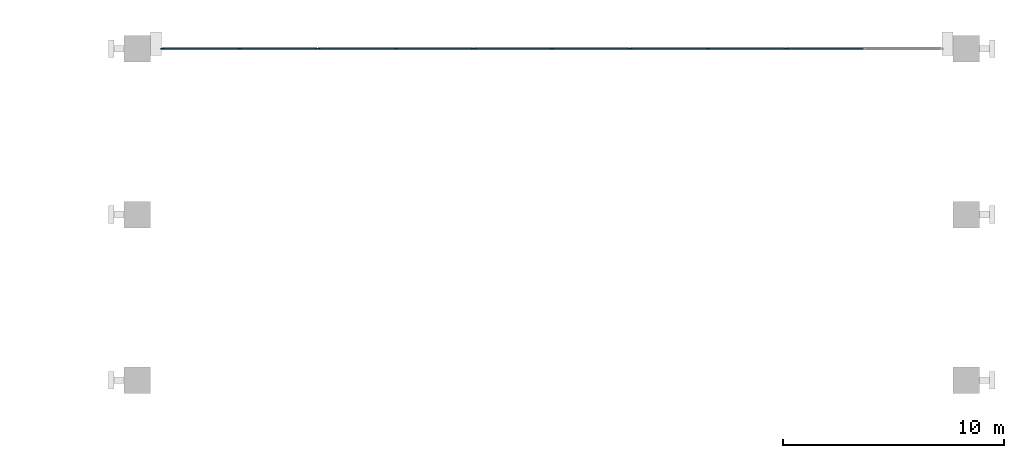
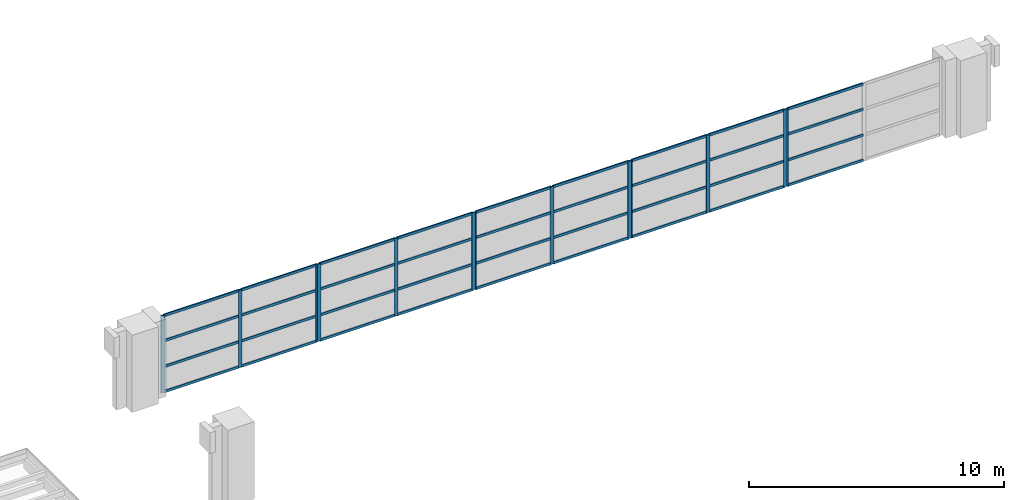
# One storey, part 16 of 67: 49 members, 5 elements without a shape of their own.
"""IFC4 building model written with IfcOpenShell, lengths in metres."""

from ifc_helpers import new_model, si_unit, direction, frame, origin, origin_2d, place, context, subcontext, project, spatial, rectangle, extrude, material, layer, layer_set, material_profile, profile_set, type_object, element, aggregate, save


model = new_model("IFC4")

# Units and contexts
model_context = context("Model", 3, precision=1e-05, world=origin(), true_north=direction((0.0, 1.0)))
body_context = subcontext(model_context, "Body", "Model", "MODEL_VIEW")
ifc_project = project(units=[si_unit("LENGTHUNIT", "METRE"), si_unit("AREAUNIT", "SQUARE_METRE"), si_unit("VOLUMEUNIT", "CUBIC_METRE"), si_unit("PLANEANGLEUNIT", "RADIAN"), si_unit("MASSUNIT", "GRAM", prefix="KILO")], contexts=[model_context])

# Site, building, storey
site_placement = place(None, origin())
site = spatial("IfcSite", under=ifc_project, at=site_placement, CompositionType="ELEMENT")
building_placement = place(site_placement, origin())
building = spatial("IfcBuilding", under=site, at=building_placement, Name="Cour d'Honneur Mobility Palace", CompositionType="ELEMENT")
storey_placement = place(building_placement, frame((0.0, 0.0, 4.5)))
storey = spatial("IfcBuildingStorey", under=building, at=storey_placement, Name="L01", CompositionType="ELEMENT", Elevation=4.5)

# Curtain wall, members
ifc_material_1 = material(Name="Aluminium and glass", Category="aluminium")
ifc_layer = layer(ifc_material_1, 0.10009765625)
ifc_layer_set = layer_set([ifc_layer], Name="Aluminium and glass")
curtain_wall_type = type_object("IfcCurtainWallType", Name="Curtain wall run", PredefinedType="NOTDEFINED", material=ifc_layer_set)
curtain_wall_1_placement = place(storey_placement, origin())
curtain_wall_1 = element("IfcCurtainWall", 1, at=curtain_wall_1_placement, inside=storey, type_object=curtain_wall_type, Name="Curtain wall CW-171", PredefinedType="NOTDEFINED")
ifc_material_2 = material(Name="Aluminium", Category="aluminium")
ifc_material_profile_1 = material_profile(ifc_material_2, rectangle(XDim=0.06005859375, YDim=0.159912109375, at=origin_2d()), Name="Curtain wall mullion")
ifc_profile_set_1 = profile_set([ifc_material_profile_1], Name="Aluminium")
member_type_1 = type_object("IfcMemberType", Name="Curtain wall mullion", PredefinedType="MULLION", material=ifc_profile_set_1)
member_1_placement = place(storey_placement, frame((63.530029296875, 114.89990234375, 0.0), z_axis=(0.0, 0.0, 1.0), x_axis=(0.0, 1.0, 0.0)))
member_1 = element("IfcMember", 2, at=member_1_placement, type_object=member_type_1, Name="CW-171 mullion 1", PredefinedType="MULLION", context=body_context, shape_type="SweptSolid", body=[
    extrude(rectangle(XDim=0.06005859375, YDim=0.159912109375, at=origin_2d()), origin(), (0.0, 0.0, 1.0), 3.699951171875),
])
member_2_placement = place(storey_placement, frame((67.030029296875, 114.89990234375, 0.0), z_axis=(0.0, 0.0, 1.0), x_axis=(0.0, 1.0, 0.0)))
member_2 = element("IfcMember", 3, at=member_2_placement, type_object=member_type_1, Name="CW-171 mullion 2", PredefinedType="MULLION", context=body_context, shape_type="SweptSolid", body=[
    extrude(rectangle(XDim=0.06005859375, YDim=0.159912109375, at=origin_2d()), origin(), (0.0, 0.0, 1.0), 3.699951171875),
])
member_3_placement = place(storey_placement, frame((70.530029296875, 114.89990234375, 0.0), z_axis=(0.0, 0.0, 1.0), x_axis=(0.0, 1.0, 0.0)))
member_3 = element("IfcMember", 4, at=member_3_placement, type_object=member_type_1, Name="CW-171 mullion 3", PredefinedType="MULLION", context=body_context, shape_type="SweptSolid", body=[
    extrude(rectangle(XDim=0.06005859375, YDim=0.159912109375, at=origin_2d()), origin(), (0.0, 0.0, 1.0), 3.699951171875),
])

curtain_wall_2_placement = place(storey_placement, origin())
curtain_wall_2 = element("IfcCurtainWall", 5, at=curtain_wall_2_placement, inside=storey, type_object=curtain_wall_type, Name="Curtain wall CW-172", PredefinedType="NOTDEFINED")
member_4_placement = place(storey_placement, frame((70.590087890625, 114.89990234375, 0.0), z_axis=(0.0, 0.0, 1.0), x_axis=(0.0, 1.0, 0.0)))
member_4 = element("IfcMember", 6, at=member_4_placement, type_object=member_type_1, Name="CW-172 mullion 1", PredefinedType="MULLION", context=body_context, shape_type="SweptSolid", body=[
    extrude(rectangle(XDim=0.06005859375, YDim=0.159912109375, at=origin_2d()), origin(), (0.0, 0.0, 1.0), 3.699951171875),
])
member_5_placement = place(storey_placement, frame((74.090087890625, 114.89990234375, 0.0), z_axis=(0.0, 0.0, 1.0), x_axis=(0.0, 1.0, 0.0)))
member_5 = element("IfcMember", 7, at=member_5_placement, type_object=member_type_1, Name="CW-172 mullion 2", PredefinedType="MULLION", context=body_context, shape_type="SweptSolid", body=[
    extrude(rectangle(XDim=0.06005859375, YDim=0.159912109375, at=origin_2d()), origin(), (0.0, 0.0, 1.0), 3.699951171875),
])
member_6_placement = place(storey_placement, frame((77.590087890625, 114.89990234375, 0.0), z_axis=(0.0, 0.0, 1.0), x_axis=(0.0, 1.0, 0.0)))
member_6 = element("IfcMember", 8, at=member_6_placement, type_object=member_type_1, Name="CW-172 mullion 3", PredefinedType="MULLION", context=body_context, shape_type="SweptSolid", body=[
    extrude(rectangle(XDim=0.06005859375, YDim=0.159912109375, at=origin_2d()), origin(), (0.0, 0.0, 1.0), 3.699951171875),
])

curtain_wall_3_placement = place(storey_placement, origin())
curtain_wall_3 = element("IfcCurtainWall", 9, at=curtain_wall_3_placement, inside=storey, type_object=curtain_wall_type, Name="Curtain wall CW-173", PredefinedType="NOTDEFINED")
member_7_placement = place(storey_placement, frame((77.64990234375, 114.89990234375, 0.0), z_axis=(0.0, 0.0, 1.0), x_axis=(0.0, 1.0, 0.0)))
member_7 = element("IfcMember", 10, at=member_7_placement, type_object=member_type_1, Name="CW-173 mullion 1", PredefinedType="MULLION", context=body_context, shape_type="SweptSolid", body=[
    extrude(rectangle(XDim=0.06005859375, YDim=0.159912109375, at=origin_2d()), origin(), (0.0, 0.0, 1.0), 3.699951171875),
])
member_8_placement = place(storey_placement, frame((81.14990234375, 114.89990234375, 0.0), z_axis=(0.0, 0.0, 1.0), x_axis=(0.0, 1.0, 0.0)))
member_8 = element("IfcMember", 11, at=member_8_placement, type_object=member_type_1, Name="CW-173 mullion 2", PredefinedType="MULLION", context=body_context, shape_type="SweptSolid", body=[
    extrude(rectangle(XDim=0.06005859375, YDim=0.159912109375, at=origin_2d()), origin(), (0.0, 0.0, 1.0), 3.699951171875),
])
member_9_placement = place(storey_placement, frame((84.64990234375, 114.89990234375, 0.0), z_axis=(0.0, 0.0, 1.0), x_axis=(0.0, 1.0, 0.0)))
member_9 = element("IfcMember", 12, at=member_9_placement, type_object=member_type_1, Name="CW-173 mullion 3", PredefinedType="MULLION", context=body_context, shape_type="SweptSolid", body=[
    extrude(rectangle(XDim=0.06005859375, YDim=0.159912109375, at=origin_2d()), origin(), (0.0, 0.0, 1.0), 3.699951171875),
])

curtain_wall_4_placement = place(storey_placement, origin())
curtain_wall_4 = element("IfcCurtainWall", 13, at=curtain_wall_4_placement, inside=storey, type_object=curtain_wall_type, Name="Curtain wall CW-174", PredefinedType="NOTDEFINED")
member_10_placement = place(storey_placement, frame((84.7099609375, 114.89990234375, 0.0), z_axis=(0.0, 0.0, 1.0), x_axis=(0.0, 1.0, 0.0)))
member_10 = element("IfcMember", 14, at=member_10_placement, type_object=member_type_1, Name="CW-174 mullion 1", PredefinedType="MULLION", context=body_context, shape_type="SweptSolid", body=[
    extrude(rectangle(XDim=0.06005859375, YDim=0.159912109375, at=origin_2d()), origin(), (0.0, 0.0, 1.0), 3.699951171875),
])
member_11_placement = place(storey_placement, frame((88.2099609375, 114.89990234375, 0.0), z_axis=(0.0, 0.0, 1.0), x_axis=(0.0, 1.0, 0.0)))
member_11 = element("IfcMember", 15, at=member_11_placement, type_object=member_type_1, Name="CW-174 mullion 2", PredefinedType="MULLION", context=body_context, shape_type="SweptSolid", body=[
    extrude(rectangle(XDim=0.06005859375, YDim=0.159912109375, at=origin_2d()), origin(), (0.0, 0.0, 1.0), 3.699951171875),
])
member_12_placement = place(storey_placement, frame((91.7099609375, 114.89990234375, 0.0), z_axis=(0.0, 0.0, 1.0), x_axis=(0.0, 1.0, 0.0)))
member_12 = element("IfcMember", 16, at=member_12_placement, type_object=member_type_1, Name="CW-174 mullion 3", PredefinedType="MULLION", context=body_context, shape_type="SweptSolid", body=[
    extrude(rectangle(XDim=0.06005859375, YDim=0.159912109375, at=origin_2d()), origin(), (0.0, 0.0, 1.0), 3.699951171875),
])

# Curtain wall, member
curtain_wall_5_placement = place(storey_placement, origin())
curtain_wall_5 = element("IfcCurtainWall", 17, at=curtain_wall_5_placement, inside=storey, type_object=curtain_wall_type, Name="Curtain wall CW-175", PredefinedType="NOTDEFINED")
member_13_placement = place(storey_placement, frame((91.77001953125, 114.89990234375, 0.0), z_axis=(0.0, 0.0, 1.0), x_axis=(0.0, 1.0, 0.0)))
member_13 = element("IfcMember", 18, at=member_13_placement, type_object=member_type_1, Name="CW-175 mullion 1", PredefinedType="MULLION", context=body_context, shape_type="SweptSolid", body=[
    extrude(rectangle(XDim=0.06005859375, YDim=0.159912109375, at=origin_2d()), origin(), (0.0, 0.0, 1.0), 3.699951171875),
])

# Member
ifc_material_3 = material(Name="Aluminium", Category="aluminium")
ifc_material_profile_2 = material_profile(ifc_material_3, rectangle(XDim=0.06005859375, YDim=0.1201171875, at=origin_2d()), Name="Curtain wall transom")
ifc_profile_set_2 = profile_set([ifc_material_profile_2], Name="Aluminium")
member_type_2 = type_object("IfcMemberType", Name="Curtain wall transom", PredefinedType="USERDEFINED", material=ifc_profile_set_2)
member_14_placement = place(storey_placement, frame((63.56005859375, 114.89990234375, 0.030029296875), z_axis=(1.0, 0.0, 0.0), x_axis=(0.0, 1.0, 0.0)))
member_14 = element("IfcMember", 19, at=member_14_placement, type_object=member_type_2, Name="CW-171 transom 1.1", ObjectType="TRANSOM", PredefinedType="USERDEFINED", context=body_context, shape_type="SweptSolid", body=[
    extrude(rectangle(XDim=0.06005859375, YDim=0.1201171875, at=origin_2d()), origin(), (0.0, 0.0, 1.0), 3.43994140625),
])

member_15_placement = place(storey_placement, frame((63.56005859375, 114.89990234375, 1.2333984375), z_axis=(1.0, 0.0, 0.0), x_axis=(0.0, 1.0, 0.0)))
member_15 = element("IfcMember", 20, at=member_15_placement, type_object=member_type_2, Name="CW-171 transom 1.2", ObjectType="TRANSOM", PredefinedType="USERDEFINED", context=body_context, shape_type="SweptSolid", body=[
    extrude(rectangle(XDim=0.06005859375, YDim=0.1201171875, at=origin_2d()), origin(), (0.0, 0.0, 1.0), 3.43994140625),
])

member_16_placement = place(storey_placement, frame((63.56005859375, 114.89990234375, 2.466552734375), z_axis=(1.0, 0.0, 0.0), x_axis=(0.0, 1.0, 0.0)))
member_16 = element("IfcMember", 21, at=member_16_placement, type_object=member_type_2, Name="CW-171 transom 1.3", ObjectType="TRANSOM", PredefinedType="USERDEFINED", context=body_context, shape_type="SweptSolid", body=[
    extrude(rectangle(XDim=0.06005859375, YDim=0.1201171875, at=origin_2d()), origin(), (0.0, 0.0, 1.0), 3.43994140625),
])

member_17_placement = place(storey_placement, frame((63.56005859375, 114.89990234375, 3.669921875), z_axis=(1.0, 0.0, 0.0), x_axis=(0.0, 1.0, 0.0)))
member_17 = element("IfcMember", 22, at=member_17_placement, type_object=member_type_2, Name="CW-171 transom 1.4", ObjectType="TRANSOM", PredefinedType="USERDEFINED", context=body_context, shape_type="SweptSolid", body=[
    extrude(rectangle(XDim=0.06005859375, YDim=0.1201171875, at=origin_2d()), origin(), (0.0, 0.0, 1.0), 3.43994140625),
])

member_18_placement = place(storey_placement, frame((67.06005859375, 114.89990234375, 0.030029296875), z_axis=(1.0, 0.0, 0.0), x_axis=(0.0, 1.0, 0.0)))
member_18 = element("IfcMember", 23, at=member_18_placement, type_object=member_type_2, Name="CW-171 transom 2.1", ObjectType="TRANSOM", PredefinedType="USERDEFINED", context=body_context, shape_type="SweptSolid", body=[
    extrude(rectangle(XDim=0.06005859375, YDim=0.1201171875, at=origin_2d()), origin(), (0.0, 0.0, 1.0), 3.43994140625),
])

member_19_placement = place(storey_placement, frame((67.06005859375, 114.89990234375, 1.2333984375), z_axis=(1.0, 0.0, 0.0), x_axis=(0.0, 1.0, 0.0)))
member_19 = element("IfcMember", 24, at=member_19_placement, type_object=member_type_2, Name="CW-171 transom 2.2", ObjectType="TRANSOM", PredefinedType="USERDEFINED", context=body_context, shape_type="SweptSolid", body=[
    extrude(rectangle(XDim=0.06005859375, YDim=0.1201171875, at=origin_2d()), origin(), (0.0, 0.0, 1.0), 3.43994140625),
])

member_20_placement = place(storey_placement, frame((67.06005859375, 114.89990234375, 2.466552734375), z_axis=(1.0, 0.0, 0.0), x_axis=(0.0, 1.0, 0.0)))
member_20 = element("IfcMember", 25, at=member_20_placement, type_object=member_type_2, Name="CW-171 transom 2.3", ObjectType="TRANSOM", PredefinedType="USERDEFINED", context=body_context, shape_type="SweptSolid", body=[
    extrude(rectangle(XDim=0.06005859375, YDim=0.1201171875, at=origin_2d()), origin(), (0.0, 0.0, 1.0), 3.43994140625),
])

member_21_placement = place(storey_placement, frame((67.06005859375, 114.89990234375, 3.669921875), z_axis=(1.0, 0.0, 0.0), x_axis=(0.0, 1.0, 0.0)))
member_21 = element("IfcMember", 26, at=member_21_placement, type_object=member_type_2, Name="CW-171 transom 2.4", ObjectType="TRANSOM", PredefinedType="USERDEFINED", context=body_context, shape_type="SweptSolid", body=[
    extrude(rectangle(XDim=0.06005859375, YDim=0.1201171875, at=origin_2d()), origin(), (0.0, 0.0, 1.0), 3.43994140625),
])

aggregate(curtain_wall_1, [member_1, member_2, member_3, member_14, member_15, member_16, member_17, member_18, member_19, member_20, member_21])

member_22_placement = place(storey_placement, frame((70.6201171875, 114.89990234375, 0.030029296875), z_axis=(1.0, 0.0, 0.0), x_axis=(0.0, 1.0, 0.0)))
member_22 = element("IfcMember", 27, at=member_22_placement, type_object=member_type_2, Name="CW-172 transom 1.1", ObjectType="TRANSOM", PredefinedType="USERDEFINED", context=body_context, shape_type="SweptSolid", body=[
    extrude(rectangle(XDim=0.06005859375, YDim=0.1201171875, at=origin_2d()), origin(), (0.0, 0.0, 1.0), 3.43994140625),
])

member_23_placement = place(storey_placement, frame((70.6201171875, 114.89990234375, 1.2333984375), z_axis=(1.0, 0.0, 0.0), x_axis=(0.0, 1.0, 0.0)))
member_23 = element("IfcMember", 28, at=member_23_placement, type_object=member_type_2, Name="CW-172 transom 1.2", ObjectType="TRANSOM", PredefinedType="USERDEFINED", context=body_context, shape_type="SweptSolid", body=[
    extrude(rectangle(XDim=0.06005859375, YDim=0.1201171875, at=origin_2d()), origin(), (0.0, 0.0, 1.0), 3.43994140625),
])

member_24_placement = place(storey_placement, frame((70.6201171875, 114.89990234375, 2.466552734375), z_axis=(1.0, 0.0, 0.0), x_axis=(0.0, 1.0, 0.0)))
member_24 = element("IfcMember", 29, at=member_24_placement, type_object=member_type_2, Name="CW-172 transom 1.3", ObjectType="TRANSOM", PredefinedType="USERDEFINED", context=body_context, shape_type="SweptSolid", body=[
    extrude(rectangle(XDim=0.06005859375, YDim=0.1201171875, at=origin_2d()), origin(), (0.0, 0.0, 1.0), 3.43994140625),
])

member_25_placement = place(storey_placement, frame((70.6201171875, 114.89990234375, 3.669921875), z_axis=(1.0, 0.0, 0.0), x_axis=(0.0, 1.0, 0.0)))
member_25 = element("IfcMember", 30, at=member_25_placement, type_object=member_type_2, Name="CW-172 transom 1.4", ObjectType="TRANSOM", PredefinedType="USERDEFINED", context=body_context, shape_type="SweptSolid", body=[
    extrude(rectangle(XDim=0.06005859375, YDim=0.1201171875, at=origin_2d()), origin(), (0.0, 0.0, 1.0), 3.43994140625),
])

member_26_placement = place(storey_placement, frame((74.1201171875, 114.89990234375, 0.030029296875), z_axis=(1.0, 0.0, 0.0), x_axis=(0.0, 1.0, 0.0)))
member_26 = element("IfcMember", 31, at=member_26_placement, type_object=member_type_2, Name="CW-172 transom 2.1", ObjectType="TRANSOM", PredefinedType="USERDEFINED", context=body_context, shape_type="SweptSolid", body=[
    extrude(rectangle(XDim=0.06005859375, YDim=0.1201171875, at=origin_2d()), origin(), (0.0, 0.0, 1.0), 3.43994140625),
])

member_27_placement = place(storey_placement, frame((74.1201171875, 114.89990234375, 1.2333984375), z_axis=(1.0, 0.0, 0.0), x_axis=(0.0, 1.0, 0.0)))
member_27 = element("IfcMember", 32, at=member_27_placement, type_object=member_type_2, Name="CW-172 transom 2.2", ObjectType="TRANSOM", PredefinedType="USERDEFINED", context=body_context, shape_type="SweptSolid", body=[
    extrude(rectangle(XDim=0.06005859375, YDim=0.1201171875, at=origin_2d()), origin(), (0.0, 0.0, 1.0), 3.43994140625),
])

member_28_placement = place(storey_placement, frame((74.1201171875, 114.89990234375, 2.466552734375), z_axis=(1.0, 0.0, 0.0), x_axis=(0.0, 1.0, 0.0)))
member_28 = element("IfcMember", 33, at=member_28_placement, type_object=member_type_2, Name="CW-172 transom 2.3", ObjectType="TRANSOM", PredefinedType="USERDEFINED", context=body_context, shape_type="SweptSolid", body=[
    extrude(rectangle(XDim=0.06005859375, YDim=0.1201171875, at=origin_2d()), origin(), (0.0, 0.0, 1.0), 3.43994140625),
])

member_29_placement = place(storey_placement, frame((74.1201171875, 114.89990234375, 3.669921875), z_axis=(1.0, 0.0, 0.0), x_axis=(0.0, 1.0, 0.0)))
member_29 = element("IfcMember", 34, at=member_29_placement, type_object=member_type_2, Name="CW-172 transom 2.4", ObjectType="TRANSOM", PredefinedType="USERDEFINED", context=body_context, shape_type="SweptSolid", body=[
    extrude(rectangle(XDim=0.06005859375, YDim=0.1201171875, at=origin_2d()), origin(), (0.0, 0.0, 1.0), 3.43994140625),
])

aggregate(curtain_wall_2, [member_4, member_5, member_6, member_22, member_23, member_24, member_25, member_26, member_27, member_28, member_29])

member_30_placement = place(storey_placement, frame((77.679931640625, 114.89990234375, 0.030029296875), z_axis=(1.0, 0.0, 0.0), x_axis=(0.0, 1.0, 0.0)))
member_30 = element("IfcMember", 35, at=member_30_placement, type_object=member_type_2, Name="CW-173 transom 1.1", ObjectType="TRANSOM", PredefinedType="USERDEFINED", context=body_context, shape_type="SweptSolid", body=[
    extrude(rectangle(XDim=0.06005859375, YDim=0.1201171875, at=origin_2d()), origin(), (0.0, 0.0, 1.0), 3.440185546875),
])

member_31_placement = place(storey_placement, frame((77.679931640625, 114.89990234375, 1.2333984375), z_axis=(1.0, 0.0, 0.0), x_axis=(0.0, 1.0, 0.0)))
member_31 = element("IfcMember", 36, at=member_31_placement, type_object=member_type_2, Name="CW-173 transom 1.2", ObjectType="TRANSOM", PredefinedType="USERDEFINED", context=body_context, shape_type="SweptSolid", body=[
    extrude(rectangle(XDim=0.06005859375, YDim=0.1201171875, at=origin_2d()), origin(), (0.0, 0.0, 1.0), 3.440185546875),
])

member_32_placement = place(storey_placement, frame((77.679931640625, 114.89990234375, 2.466552734375), z_axis=(1.0, 0.0, 0.0), x_axis=(0.0, 1.0, 0.0)))
member_32 = element("IfcMember", 37, at=member_32_placement, type_object=member_type_2, Name="CW-173 transom 1.3", ObjectType="TRANSOM", PredefinedType="USERDEFINED", context=body_context, shape_type="SweptSolid", body=[
    extrude(rectangle(XDim=0.06005859375, YDim=0.1201171875, at=origin_2d()), origin(), (0.0, 0.0, 1.0), 3.440185546875),
])

member_33_placement = place(storey_placement, frame((77.679931640625, 114.89990234375, 3.669921875), z_axis=(1.0, 0.0, 0.0), x_axis=(0.0, 1.0, 0.0)))
member_33 = element("IfcMember", 38, at=member_33_placement, type_object=member_type_2, Name="CW-173 transom 1.4", ObjectType="TRANSOM", PredefinedType="USERDEFINED", context=body_context, shape_type="SweptSolid", body=[
    extrude(rectangle(XDim=0.06005859375, YDim=0.1201171875, at=origin_2d()), origin(), (0.0, 0.0, 1.0), 3.440185546875),
])

member_34_placement = place(storey_placement, frame((81.179931640625, 114.89990234375, 0.030029296875), z_axis=(1.0, 0.0, 0.0), x_axis=(0.0, 1.0, 0.0)))
member_34 = element("IfcMember", 39, at=member_34_placement, type_object=member_type_2, Name="CW-173 transom 2.1", ObjectType="TRANSOM", PredefinedType="USERDEFINED", context=body_context, shape_type="SweptSolid", body=[
    extrude(rectangle(XDim=0.06005859375, YDim=0.1201171875, at=origin_2d()), origin(), (0.0, 0.0, 1.0), 3.440185546875),
])

member_35_placement = place(storey_placement, frame((81.179931640625, 114.89990234375, 1.2333984375), z_axis=(1.0, 0.0, 0.0), x_axis=(0.0, 1.0, 0.0)))
member_35 = element("IfcMember", 40, at=member_35_placement, type_object=member_type_2, Name="CW-173 transom 2.2", ObjectType="TRANSOM", PredefinedType="USERDEFINED", context=body_context, shape_type="SweptSolid", body=[
    extrude(rectangle(XDim=0.06005859375, YDim=0.1201171875, at=origin_2d()), origin(), (0.0, 0.0, 1.0), 3.440185546875),
])

member_36_placement = place(storey_placement, frame((81.179931640625, 114.89990234375, 2.466552734375), z_axis=(1.0, 0.0, 0.0), x_axis=(0.0, 1.0, 0.0)))
member_36 = element("IfcMember", 41, at=member_36_placement, type_object=member_type_2, Name="CW-173 transom 2.3", ObjectType="TRANSOM", PredefinedType="USERDEFINED", context=body_context, shape_type="SweptSolid", body=[
    extrude(rectangle(XDim=0.06005859375, YDim=0.1201171875, at=origin_2d()), origin(), (0.0, 0.0, 1.0), 3.440185546875),
])

member_37_placement = place(storey_placement, frame((81.179931640625, 114.89990234375, 3.669921875), z_axis=(1.0, 0.0, 0.0), x_axis=(0.0, 1.0, 0.0)))
member_37 = element("IfcMember", 42, at=member_37_placement, type_object=member_type_2, Name="CW-173 transom 2.4", ObjectType="TRANSOM", PredefinedType="USERDEFINED", context=body_context, shape_type="SweptSolid", body=[
    extrude(rectangle(XDim=0.06005859375, YDim=0.1201171875, at=origin_2d()), origin(), (0.0, 0.0, 1.0), 3.440185546875),
])

aggregate(curtain_wall_3, [member_7, member_8, member_9, member_30, member_31, member_32, member_33, member_34, member_35, member_36, member_37])

member_38_placement = place(storey_placement, frame((84.739990234375, 114.89990234375, 0.030029296875), z_axis=(1.0, 0.0, 0.0), x_axis=(0.0, 1.0, 0.0)))
member_38 = element("IfcMember", 43, at=member_38_placement, type_object=member_type_2, Name="CW-174 transom 1.1", ObjectType="TRANSOM", PredefinedType="USERDEFINED", context=body_context, shape_type="SweptSolid", body=[
    extrude(rectangle(XDim=0.06005859375, YDim=0.1201171875, at=origin_2d()), origin(), (0.0, 0.0, 1.0), 3.43994140625),
])

member_39_placement = place(storey_placement, frame((84.739990234375, 114.89990234375, 1.2333984375), z_axis=(1.0, 0.0, 0.0), x_axis=(0.0, 1.0, 0.0)))
member_39 = element("IfcMember", 44, at=member_39_placement, type_object=member_type_2, Name="CW-174 transom 1.2", ObjectType="TRANSOM", PredefinedType="USERDEFINED", context=body_context, shape_type="SweptSolid", body=[
    extrude(rectangle(XDim=0.06005859375, YDim=0.1201171875, at=origin_2d()), origin(), (0.0, 0.0, 1.0), 3.43994140625),
])

member_40_placement = place(storey_placement, frame((84.739990234375, 114.89990234375, 2.466552734375), z_axis=(1.0, 0.0, 0.0), x_axis=(0.0, 1.0, 0.0)))
member_40 = element("IfcMember", 45, at=member_40_placement, type_object=member_type_2, Name="CW-174 transom 1.3", ObjectType="TRANSOM", PredefinedType="USERDEFINED", context=body_context, shape_type="SweptSolid", body=[
    extrude(rectangle(XDim=0.06005859375, YDim=0.1201171875, at=origin_2d()), origin(), (0.0, 0.0, 1.0), 3.43994140625),
])

member_41_placement = place(storey_placement, frame((84.739990234375, 114.89990234375, 3.669921875), z_axis=(1.0, 0.0, 0.0), x_axis=(0.0, 1.0, 0.0)))
member_41 = element("IfcMember", 46, at=member_41_placement, type_object=member_type_2, Name="CW-174 transom 1.4", ObjectType="TRANSOM", PredefinedType="USERDEFINED", context=body_context, shape_type="SweptSolid", body=[
    extrude(rectangle(XDim=0.06005859375, YDim=0.1201171875, at=origin_2d()), origin(), (0.0, 0.0, 1.0), 3.43994140625),
])

member_42_placement = place(storey_placement, frame((88.239990234375, 114.89990234375, 0.030029296875), z_axis=(1.0, 0.0, 0.0), x_axis=(0.0, 1.0, 0.0)))
member_42 = element("IfcMember", 47, at=member_42_placement, type_object=member_type_2, Name="CW-174 transom 2.1", ObjectType="TRANSOM", PredefinedType="USERDEFINED", context=body_context, shape_type="SweptSolid", body=[
    extrude(rectangle(XDim=0.06005859375, YDim=0.1201171875, at=origin_2d()), origin(), (0.0, 0.0, 1.0), 3.43994140625),
])

member_43_placement = place(storey_placement, frame((88.239990234375, 114.89990234375, 1.2333984375), z_axis=(1.0, 0.0, 0.0), x_axis=(0.0, 1.0, 0.0)))
member_43 = element("IfcMember", 48, at=member_43_placement, type_object=member_type_2, Name="CW-174 transom 2.2", ObjectType="TRANSOM", PredefinedType="USERDEFINED", context=body_context, shape_type="SweptSolid", body=[
    extrude(rectangle(XDim=0.06005859375, YDim=0.1201171875, at=origin_2d()), origin(), (0.0, 0.0, 1.0), 3.43994140625),
])

member_44_placement = place(storey_placement, frame((88.239990234375, 114.89990234375, 2.466552734375), z_axis=(1.0, 0.0, 0.0), x_axis=(0.0, 1.0, 0.0)))
member_44 = element("IfcMember", 49, at=member_44_placement, type_object=member_type_2, Name="CW-174 transom 2.3", ObjectType="TRANSOM", PredefinedType="USERDEFINED", context=body_context, shape_type="SweptSolid", body=[
    extrude(rectangle(XDim=0.06005859375, YDim=0.1201171875, at=origin_2d()), origin(), (0.0, 0.0, 1.0), 3.43994140625),
])

member_45_placement = place(storey_placement, frame((88.239990234375, 114.89990234375, 3.669921875), z_axis=(1.0, 0.0, 0.0), x_axis=(0.0, 1.0, 0.0)))
member_45 = element("IfcMember", 50, at=member_45_placement, type_object=member_type_2, Name="CW-174 transom 2.4", ObjectType="TRANSOM", PredefinedType="USERDEFINED", context=body_context, shape_type="SweptSolid", body=[
    extrude(rectangle(XDim=0.06005859375, YDim=0.1201171875, at=origin_2d()), origin(), (0.0, 0.0, 1.0), 3.43994140625),
])

aggregate(curtain_wall_4, [member_10, member_11, member_12, member_38, member_39, member_40, member_41, member_42, member_43, member_44, member_45])

member_46_placement = place(storey_placement, frame((91.800048828125, 114.89990234375, 0.030029296875), z_axis=(1.0, 0.0, 0.0), x_axis=(0.0, 1.0, 0.0)))
member_46 = element("IfcMember", 51, at=member_46_placement, type_object=member_type_2, Name="CW-175 transom 1.1", ObjectType="TRANSOM", PredefinedType="USERDEFINED", context=body_context, shape_type="SweptSolid", body=[
    extrude(rectangle(XDim=0.06005859375, YDim=0.1201171875, at=origin_2d()), origin(), (0.0, 0.0, 1.0), 3.43994140625),
])

member_47_placement = place(storey_placement, frame((91.800048828125, 114.89990234375, 1.2333984375), z_axis=(1.0, 0.0, 0.0), x_axis=(0.0, 1.0, 0.0)))
member_47 = element("IfcMember", 52, at=member_47_placement, type_object=member_type_2, Name="CW-175 transom 1.2", ObjectType="TRANSOM", PredefinedType="USERDEFINED", context=body_context, shape_type="SweptSolid", body=[
    extrude(rectangle(XDim=0.06005859375, YDim=0.1201171875, at=origin_2d()), origin(), (0.0, 0.0, 1.0), 3.43994140625),
])

member_48_placement = place(storey_placement, frame((91.800048828125, 114.89990234375, 2.466552734375), z_axis=(1.0, 0.0, 0.0), x_axis=(0.0, 1.0, 0.0)))
member_48 = element("IfcMember", 53, at=member_48_placement, type_object=member_type_2, Name="CW-175 transom 1.3", ObjectType="TRANSOM", PredefinedType="USERDEFINED", context=body_context, shape_type="SweptSolid", body=[
    extrude(rectangle(XDim=0.06005859375, YDim=0.1201171875, at=origin_2d()), origin(), (0.0, 0.0, 1.0), 3.43994140625),
])

member_49_placement = place(storey_placement, frame((91.800048828125, 114.89990234375, 3.669921875), z_axis=(1.0, 0.0, 0.0), x_axis=(0.0, 1.0, 0.0)))
member_49 = element("IfcMember", 54, at=member_49_placement, type_object=member_type_2, Name="CW-175 transom 1.4", ObjectType="TRANSOM", PredefinedType="USERDEFINED", context=body_context, shape_type="SweptSolid", body=[
    extrude(rectangle(XDim=0.06005859375, YDim=0.1201171875, at=origin_2d()), origin(), (0.0, 0.0, 1.0), 3.43994140625),
])

aggregate(curtain_wall_5, [member_13, member_46, member_47, member_48, member_49])

save(model, "model.ifc")
